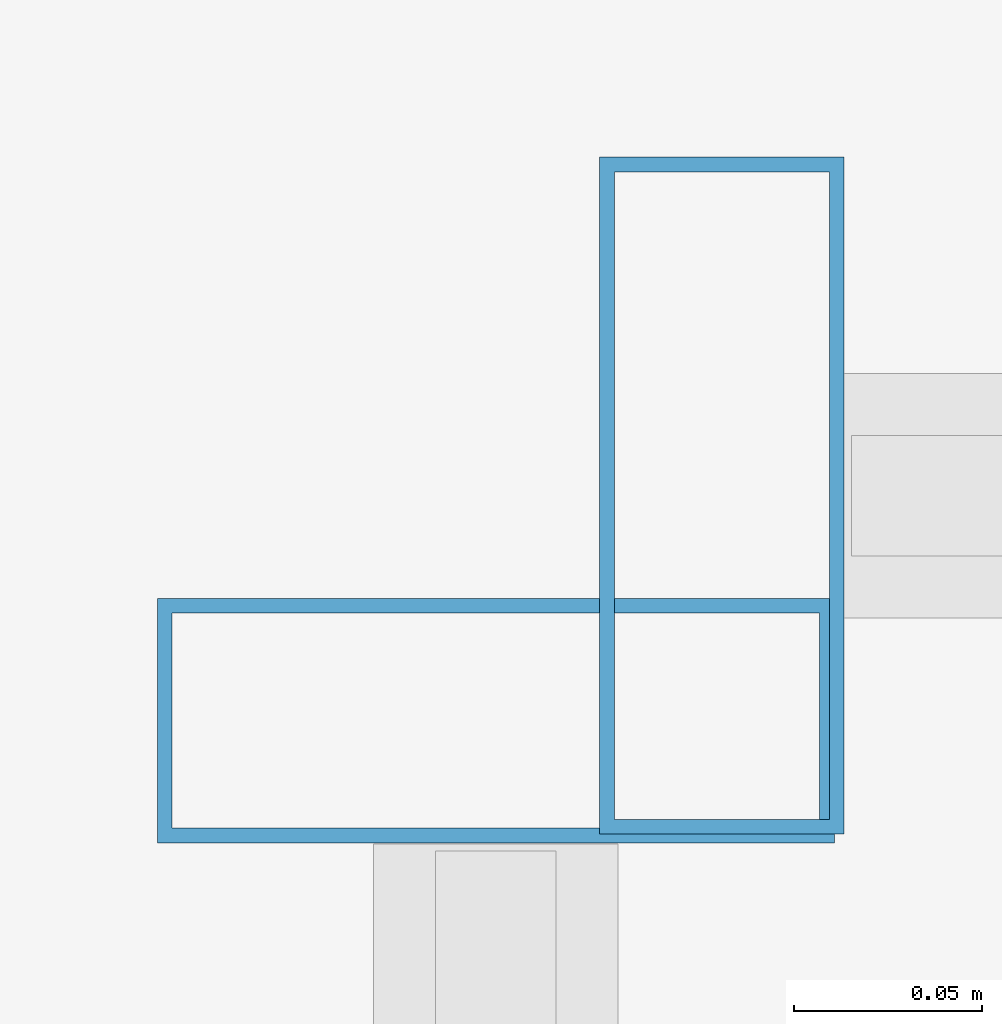
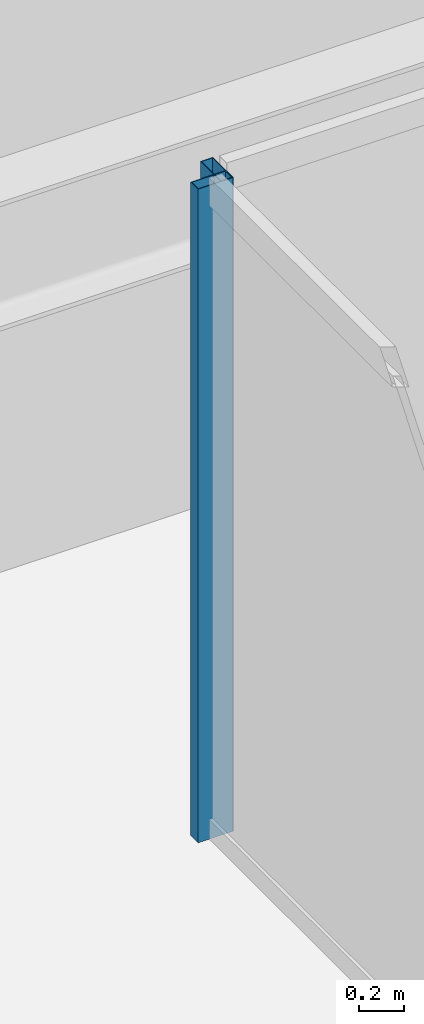
# One storey, part 13 of 36: 2 members, 2 elements without a shape of their own.
"""IFC4 building model written with IfcOpenShell, lengths in metres."""

from ifc_helpers import new_model, si_unit, direction, frame, origin, origin_2d, place, context, subcontext, project, spatial, hollow_rectangle, extrude, material, material_profile, profile_set, type_object, element, aggregate, save


model = new_model("IFC4")

# Units and contexts
model_context = context("Model", 3, precision=1e-05, world=origin(), true_north=direction((0.0, 1.0)))
body_context = subcontext(model_context, "Body", "Model", "MODEL_VIEW")
ifc_project = project(units=[si_unit("LENGTHUNIT", "METRE"), si_unit("AREAUNIT", "SQUARE_METRE"), si_unit("VOLUMEUNIT", "CUBIC_METRE"), si_unit("PLANEANGLEUNIT", "RADIAN"), si_unit("MASSUNIT", "GRAM", prefix="KILO")], contexts=[model_context])

# Site, building, storey
site_placement = place(None, origin())
site = spatial("IfcSite", under=ifc_project, at=site_placement, CompositionType="ELEMENT")
building_placement = place(site_placement, origin())
building = spatial("IfcBuilding", under=site, at=building_placement, Name="Saevonmaru Cultural Tower", CompositionType="ELEMENT")
storey_placement = place(building_placement, frame((0.0, 0.0, 182.800048828125)))
storey = spatial("IfcBuildingStorey", under=building, at=storey_placement, Name="L41", CompositionType="ELEMENT", Elevation=182.800048828125)

# Curtain wall, member
ifc_material = material(Name="Satin Bronze Anodised Aluminium", Category="aluminium")
curtain_wall_type = type_object("IfcCurtainWallType", Name="CW-ATR-GLZ", PredefinedType="NOTDEFINED", material=ifc_material)
curtain_wall_1_placement = place(storey_placement, origin())
curtain_wall_1 = element("IfcCurtainWall", 1, at=curtain_wall_1_placement, inside=storey, type_object=curtain_wall_type, Name="L41 Vertical Atrium Glazed Smoke Screen 3", PredefinedType="NOTDEFINED")
ifc_material_profile = material_profile(ifc_material, hollow_rectangle(XDim=0.06494140625, YDim=0.179931640625, WallThickness=0.00390625, at=origin_2d()), Name="ALU-MULL-180x65x4")
ifc_profile_set = profile_set([ifc_material_profile], Name="Satin Bronze Anodised Aluminium")
member_type = type_object("IfcMemberType", Name="ML-CW-INT-180x65", PredefinedType="MULLION", material=ifc_profile_set)
member_1_placement = place(storey_placement, frame((24.110107421875, 36.909912109375, 0.0), z_axis=(0.0, 0.0, 1.0), x_axis=(-1.0, 0.0, 0.0)))
member_1 = element("IfcMember", 2, at=member_1_placement, type_object=member_type, Name="CW-ATR-L41-3 mullion 2", PredefinedType="MULLION", context=body_context, shape_type="SweptSolid", body=[
    extrude(hollow_rectangle(XDim=0.06494140625, YDim=0.179931640625, WallThickness=0.00390625, at=origin_2d()), origin(), (0.0, 0.0, 1.0), 3.550048828125),
])
aggregate(curtain_wall_1, [member_1])

curtain_wall_2_placement = place(storey_placement, origin())
curtain_wall_2 = element("IfcCurtainWall", 3, at=curtain_wall_2_placement, inside=storey, type_object=curtain_wall_type, Name="L41 Vertical Atrium Glazed Smoke Screen 4", PredefinedType="NOTDEFINED")
member_2_placement = place(storey_placement, frame((24.050048828125, 36.85009765625, 0.0), z_axis=(0.0, 0.0, 1.0), x_axis=(0.0, -1.0, 0.0)))
member_2 = element("IfcMember", 4, at=member_2_placement, type_object=member_type, Name="CW-ATR-L41-4 mullion 1", PredefinedType="MULLION", context=body_context, shape_type="SweptSolid", body=[
    extrude(hollow_rectangle(XDim=0.06494140625, YDim=0.179931640625, WallThickness=0.00390625, at=origin_2d()), origin(), (0.0, 0.0, 1.0), 3.550048828125),
])
aggregate(curtain_wall_2, [member_2])

save(model, "model.ifc")
